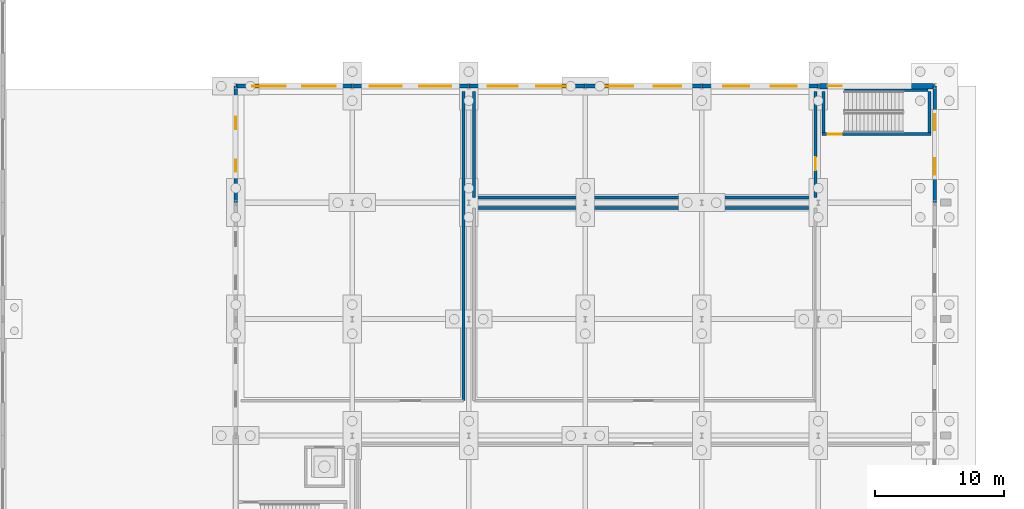
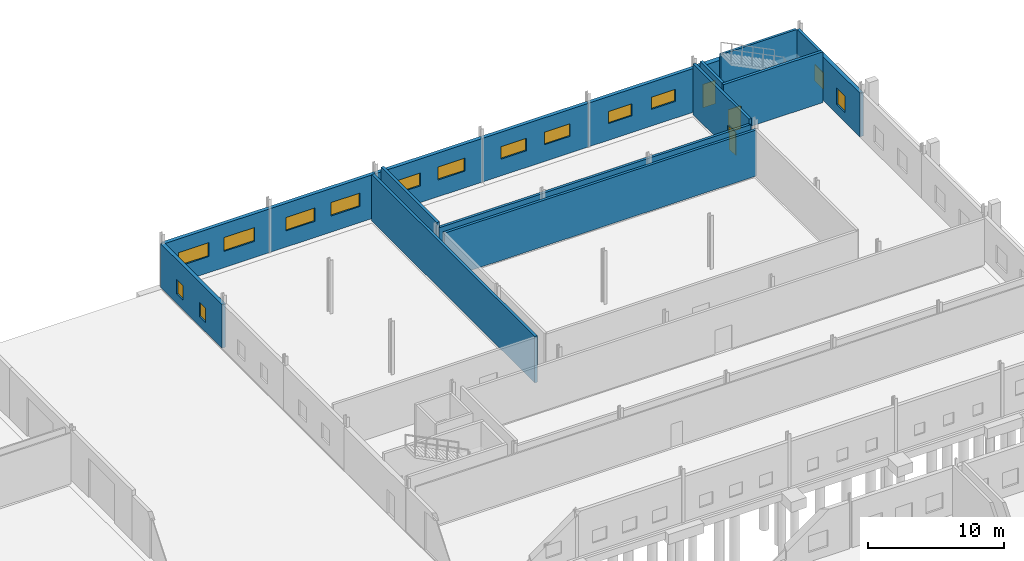
# One storey, part 85 of 112: 17 walls, 14 windows, 3 doors, 17 openings.
"""IFC4 building model written with IfcOpenShell, lengths in metres."""

from ifc_helpers import new_model, si_unit, direction, frame, frame_2d, origin, place, context, subcontext, project, spatial, rectangle, extrude, material, layer, layer_set, type_object, element, fill, save


model = new_model("IFC4")

# Units and contexts
model_context = context("Model", 3, precision=1e-05, world=origin(), true_north=direction((0.0, 1.0)))
body_context = subcontext(model_context, "Body", "Model", "MODEL_VIEW")
ifc_project = project(units=[si_unit("LENGTHUNIT", "METRE"), si_unit("AREAUNIT", "SQUARE_METRE"), si_unit("VOLUMEUNIT", "CUBIC_METRE"), si_unit("PLANEANGLEUNIT", "RADIAN"), si_unit("MASSUNIT", "GRAM", prefix="KILO")], contexts=[model_context])

# Site, building, storey
site_placement = place(None, origin())
site = spatial("IfcSite", under=ifc_project, at=site_placement, CompositionType="ELEMENT")
building_placement = place(site_placement, origin())
building = spatial("IfcBuilding", under=site, at=building_placement, Name="Tharagai Park Tramway Depot", CompositionType="ELEMENT")
storey_placement = place(building_placement, origin())
storey = spatial("IfcBuildingStorey", under=building, at=storey_placement, Name="L00", CompositionType="ELEMENT", Elevation=0.0)

# Wall, opening, door
ifc_material_1 = material(Name="Charnockite stone", Category="masonry")
ifc_layer_1 = layer(ifc_material_1, 0.419921875)
ifc_layer_set_1 = layer_set([ifc_layer_1], Name="Charnockite stone")
wall_type_1 = type_object("IfcWallType", Name="EW-07", PredefinedType="SOLIDWALL", material=ifc_layer_set_1)
wall_1_placement = place(storey_placement, frame((207.00390625, 135.0, 0.0), z_axis=(0.0, 0.0, 1.0), x_axis=(1.0, 0.0, 0.0)))
wall_1 = element("IfcWall", 1, at=wall_1_placement, inside=storey, type_object=wall_type_1, Name="L00 V3 Exterior Masonry Wall EW-07", PredefinedType="SOLIDWALL", context=body_context, shape_type="SweptSolid", body=[
    extrude(rectangle(XDim=8.9921875, YDim=0.419921875, at=frame_2d((4.49609375, 0.0))), origin(), (0.0, 0.0, 1.0), 3.912109375),
])
opening_1_placement = place(wall_1_placement, frame((0.74609375, 0.0, 0.0)))
opening_1 = element("IfcOpeningElement", 2, at=opening_1_placement, cuts=wall_1, Name="Opening ED-05", PredefinedType="OPENING", context=body_context, shape_type="SweptSolid", body=[
    extrude(rectangle(XDim=1.06005859375, YDim=2.10009765625, at=frame_2d((0.530029296875, 1.050048828125))), frame((0.0, 0.219970703125, 0.0), z_axis=(0.0, -1.0, 0.0), x_axis=(1.0, 0.0, 0.0)), (0.0, 0.0, 1.0), 0.43994140625),
])
ifc_material_2 = material(Name="Anodised aluminium", Category="aluminium")
door_type_1 = type_object("IfcDoorType", Name="ED-05", OperationType="NOTDEFINED", PredefinedType="DOOR", material=ifc_material_2)
door_1_placement = place(opening_1_placement, origin())
door_1 = element("IfcDoor", 3, at=door_1_placement, inside=storey, type_object=door_type_1, Name="Core C13 Final Exit Door", OperationType="SINGLE_SWING_LEFT", OverallHeight=2.10009765625, OverallWidth=1.06005859375, PredefinedType="DOOR", context=body_context, shape_type="SweptSolid", body=[
    extrude(rectangle(XDim=1.06005859375, YDim=2.10009765625, at=frame_2d((0.530029296875, 1.050048828125))), frame((0.0, 0.02490234375, 0.0), z_axis=(0.0, -1.0, 0.0), x_axis=(1.0, 0.0, 0.0)), (0.0, 0.0, 1.0), 0.050048828125),
])
fill(opening_1, door_1)

# Wall, openings, windows
ifc_material_3 = material(Name="Pressed clay brick", Category="masonry")
ifc_layer_2 = layer(ifc_material_3, 0.300048828125)
ifc_layer_set_2 = layer_set([ifc_layer_2], Name="Pressed clay brick")
wall_type_2 = type_object("IfcWallType", Name="EW-08", PredefinedType="SOLIDWALL", material=ifc_layer_set_2)
wall_2_placement = place(storey_placement, frame((162.00390625, 135.0, 0.0), z_axis=(0.0, 0.0, 1.0), x_axis=(1.0, 0.0, 0.0)))
wall_2 = element("IfcWall", 4, at=wall_2_placement, inside=storey, type_object=wall_type_2, Name="L00 V3 Exterior Masonry Wall EW-08", PredefinedType="SOLIDWALL", context=body_context, shape_type="SweptSolid", body=[
    extrude(rectangle(XDim=8.9921875, YDim=0.300048828125, at=frame_2d((4.49609375, 0.0))), origin(), (0.0, 0.0, 1.0), 3.912109375),
])
opening_2_placement = place(wall_2_placement, frame((1.263916015625, 0.0, 1.449951171875)))
opening_2 = element("IfcOpeningElement", 5, at=opening_2_placement, cuts=wall_2, Name="Opening WN-26", PredefinedType="OPENING", context=body_context, shape_type="SweptSolid", body=[
    extrude(rectangle(XDim=2.60009765625, YDim=1.239990234375, at=frame_2d((1.300048828125, 0.6201171875))), frame((0.0, 0.159912109375, 0.0), z_axis=(0.0, -1.0, 0.0), x_axis=(1.0, 0.0, 0.0)), (0.0, 0.0, 1.0), 0.320068359375),
])
opening_3_placement = place(wall_2_placement, frame((5.1279296875, 0.0, 1.449951171875)))
opening_3 = element("IfcOpeningElement", 6, at=opening_3_placement, cuts=wall_2, Name="Opening WN-26", PredefinedType="OPENING", context=body_context, shape_type="SweptSolid", body=[
    extrude(rectangle(XDim=2.60009765625, YDim=1.239990234375, at=frame_2d((1.300048828125, 0.6201171875))), frame((0.0, 0.159912109375, 0.0), z_axis=(0.0, -1.0, 0.0), x_axis=(1.0, 0.0, 0.0)), (0.0, 0.0, 1.0), 0.320068359375),
])
ifc_material_4 = material(Name="Laminated solar-control glass", Category="glass")
window_type_1 = type_object("IfcWindowType", Name="WN-26", PartitioningType="SINGLE_PANEL", PredefinedType="WINDOW", material=ifc_material_4)
window_1_placement = place(opening_2_placement, origin())
window_1 = element("IfcWindow", 7, at=window_1_placement, inside=storey, type_object=window_type_1, Name="L00 V3 Gothic Lancet Window WN-26", OverallHeight=1.239990234375, OverallWidth=2.60009765625, PartitioningType="SINGLE_PANEL", PredefinedType="WINDOW", context=body_context, shape_type="SweptSolid", body=[
    extrude(rectangle(XDim=2.60009765625, YDim=1.239990234375, at=frame_2d((1.300048828125, 0.6201171875))), frame((0.0, 0.030029296875, 0.0), z_axis=(0.0, -1.0, 0.0), x_axis=(1.0, 0.0, 0.0)), (0.0, 0.0, 1.0), 0.06005859375),
])
fill(opening_2, window_1)
window_2_placement = place(opening_3_placement, origin())
window_2 = element("IfcWindow", 8, at=window_2_placement, inside=storey, type_object=window_type_1, Name="L00 V3 Gothic Lancet Window WN-26", OverallHeight=1.239990234375, OverallWidth=2.60009765625, PartitioningType="SINGLE_PANEL", PredefinedType="WINDOW", context=body_context, shape_type="SweptSolid", body=[
    extrude(rectangle(XDim=2.60009765625, YDim=1.239990234375, at=frame_2d((1.300048828125, 0.6201171875))), frame((0.0, 0.030029296875, 0.0), z_axis=(0.0, -1.0, 0.0), x_axis=(1.0, 0.0, 0.0)), (0.0, 0.0, 1.0), 0.06005859375),
])
fill(opening_3, window_2)

wall_3_placement = place(storey_placement, frame((171.00390625, 135.0, 0.0), z_axis=(0.0, 0.0, 1.0), x_axis=(1.0, 0.0, 0.0)))
wall_3 = element("IfcWall", 9, at=wall_3_placement, inside=storey, type_object=wall_type_2, Name="L00 V3 Exterior Masonry Wall EW-08", PredefinedType="SOLIDWALL", context=body_context, shape_type="SweptSolid", body=[
    extrude(rectangle(XDim=8.9921875, YDim=0.300048828125, at=frame_2d((4.49609375, 0.0))), origin(), (0.0, 0.0, 1.0), 3.912109375),
])
opening_4_placement = place(wall_3_placement, frame((1.364013671875, 0.0, 1.449951171875)))
opening_4 = element("IfcOpeningElement", 10, at=opening_4_placement, cuts=wall_3, Name="Opening WN-02", PredefinedType="OPENING", context=body_context, shape_type="SweptSolid", body=[
    extrude(rectangle(XDim=2.449951171875, YDim=1.199951171875, at=frame_2d((1.22509765625, 0.60009765625))), frame((0.0, 0.159912109375, 0.0), z_axis=(0.0, -1.0, 0.0), x_axis=(1.0, 0.0, 0.0)), (0.0, 0.0, 1.0), 0.320068359375),
])
opening_5_placement = place(wall_3_placement, frame((5.177978515625, 0.0, 1.449951171875)))
opening_5 = element("IfcOpeningElement", 11, at=opening_5_placement, cuts=wall_3, Name="Opening WN-02", PredefinedType="OPENING", context=body_context, shape_type="SweptSolid", body=[
    extrude(rectangle(XDim=2.449951171875, YDim=1.199951171875, at=frame_2d((1.22509765625, 0.60009765625))), frame((0.0, 0.159912109375, 0.0), z_axis=(0.0, -1.0, 0.0), x_axis=(1.0, 0.0, 0.0)), (0.0, 0.0, 1.0), 0.320068359375),
])
window_type_2 = type_object("IfcWindowType", Name="WN-02", PartitioningType="SINGLE_PANEL", PredefinedType="WINDOW", material=ifc_material_4)
window_3_placement = place(opening_4_placement, origin())
window_3 = element("IfcWindow", 12, at=window_3_placement, inside=storey, type_object=window_type_2, Name="L00 V3 Gothic Lancet Window WN-02", OverallHeight=1.199951171875, OverallWidth=2.449951171875, PartitioningType="SINGLE_PANEL", PredefinedType="WINDOW", context=body_context, shape_type="SweptSolid", body=[
    extrude(rectangle(XDim=2.449951171875, YDim=1.199951171875, at=frame_2d((1.22509765625, 0.60009765625))), frame((0.0, 0.030029296875, 0.0), z_axis=(0.0, -1.0, 0.0), x_axis=(1.0, 0.0, 0.0)), (0.0, 0.0, 1.0), 0.06005859375),
])
fill(opening_4, window_3)
window_4_placement = place(opening_5_placement, origin())
window_4 = element("IfcWindow", 13, at=window_4_placement, inside=storey, type_object=window_type_2, Name="L00 V3 Gothic Lancet Window WN-02", OverallHeight=1.199951171875, OverallWidth=2.449951171875, PartitioningType="SINGLE_PANEL", PredefinedType="WINDOW", context=body_context, shape_type="SweptSolid", body=[
    extrude(rectangle(XDim=2.449951171875, YDim=1.199951171875, at=frame_2d((1.22509765625, 0.60009765625))), frame((0.0, 0.030029296875, 0.0), z_axis=(0.0, -1.0, 0.0), x_axis=(1.0, 0.0, 0.0)), (0.0, 0.0, 1.0), 0.06005859375),
])
fill(opening_5, window_4)

wall_4_placement = place(storey_placement, frame((180.00390625, 135.0, 0.0), z_axis=(0.0, 0.0, 1.0), x_axis=(1.0, 0.0, 0.0)))
wall_4 = element("IfcWall", 14, at=wall_4_placement, inside=storey, type_object=wall_type_2, Name="L00 V3 Exterior Masonry Wall EW-08", PredefinedType="SOLIDWALL", context=body_context, shape_type="SweptSolid", body=[
    extrude(rectangle(XDim=8.9921875, YDim=0.300048828125, at=frame_2d((4.49609375, 0.0))), origin(), (0.0, 0.0, 1.0), 3.912109375),
])
opening_6_placement = place(wall_4_placement, frame((1.464111328125, 0.0, 1.5)))
opening_6 = element("IfcOpeningElement", 15, at=opening_6_placement, cuts=wall_4, Name="Opening WN-50", PredefinedType="OPENING", context=body_context, shape_type="SweptSolid", body=[
    extrude(rectangle(XDim=2.300048828125, YDim=1.159912109375, at=frame_2d((1.14990234375, 0.580078125))), frame((0.0, 0.159912109375, 0.0), z_axis=(0.0, -1.0, 0.0), x_axis=(1.0, 0.0, 0.0)), (0.0, 0.0, 1.0), 0.320068359375),
])
opening_7_placement = place(wall_4_placement, frame((5.22802734375, 0.0, 1.5)))
opening_7 = element("IfcOpeningElement", 16, at=opening_7_placement, cuts=wall_4, Name="Opening WN-50", PredefinedType="OPENING", context=body_context, shape_type="SweptSolid", body=[
    extrude(rectangle(XDim=2.300048828125, YDim=1.159912109375, at=frame_2d((1.14990234375, 0.580078125))), frame((0.0, 0.159912109375, 0.0), z_axis=(0.0, -1.0, 0.0), x_axis=(1.0, 0.0, 0.0)), (0.0, 0.0, 1.0), 0.320068359375),
])
window_type_3 = type_object("IfcWindowType", Name="WN-50", PartitioningType="SINGLE_PANEL", PredefinedType="WINDOW", material=ifc_material_4)
window_5_placement = place(opening_6_placement, origin())
window_5 = element("IfcWindow", 17, at=window_5_placement, inside=storey, type_object=window_type_3, Name="L00 V3 Gothic Lancet Window WN-50", OverallHeight=1.159912109375, OverallWidth=2.300048828125, PartitioningType="SINGLE_PANEL", PredefinedType="WINDOW", context=body_context, shape_type="SweptSolid", body=[
    extrude(rectangle(XDim=2.300048828125, YDim=1.159912109375, at=frame_2d((1.14990234375, 0.580078125))), frame((0.0, 0.030029296875, 0.0), z_axis=(0.0, -1.0, 0.0), x_axis=(1.0, 0.0, 0.0)), (0.0, 0.0, 1.0), 0.06005859375),
])
fill(opening_6, window_5)
window_6_placement = place(opening_7_placement, origin())
window_6 = element("IfcWindow", 18, at=window_6_placement, inside=storey, type_object=window_type_3, Name="L00 V3 Gothic Lancet Window WN-50", OverallHeight=1.159912109375, OverallWidth=2.300048828125, PartitioningType="SINGLE_PANEL", PredefinedType="WINDOW", context=body_context, shape_type="SweptSolid", body=[
    extrude(rectangle(XDim=2.300048828125, YDim=1.159912109375, at=frame_2d((1.14990234375, 0.580078125))), frame((0.0, 0.030029296875, 0.0), z_axis=(0.0, -1.0, 0.0), x_axis=(1.0, 0.0, 0.0)), (0.0, 0.0, 1.0), 0.06005859375),
])
fill(opening_7, window_6)

wall_5_placement = place(storey_placement, frame((189.00390625, 135.0, 0.0), z_axis=(0.0, 0.0, 1.0), x_axis=(1.0, 0.0, 0.0)))
wall_5 = element("IfcWall", 19, at=wall_5_placement, inside=storey, type_object=wall_type_2, Name="L00 V3 Exterior Masonry Wall EW-08", PredefinedType="SOLIDWALL", context=body_context, shape_type="SweptSolid", body=[
    extrude(rectangle(XDim=8.9921875, YDim=0.300048828125, at=frame_2d((4.49609375, 0.0))), origin(), (0.0, 0.0, 1.0), 3.912109375),
])
opening_8_placement = place(wall_5_placement, frame((1.56396484375, 0.0, 1.5)))
opening_8 = element("IfcOpeningElement", 20, at=opening_8_placement, cuts=wall_5, Name="Opening WN-13", PredefinedType="OPENING", context=body_context, shape_type="SweptSolid", body=[
    extrude(rectangle(XDim=2.14990234375, YDim=1.1201171875, at=frame_2d((1.074951171875, 0.56005859375))), frame((0.0, 0.159912109375, 0.0), z_axis=(0.0, -1.0, 0.0), x_axis=(1.0, 0.0, 0.0)), (0.0, 0.0, 1.0), 0.320068359375),
])
opening_9_placement = place(wall_5_placement, frame((5.278076171875, 0.0, 1.5)))
opening_9 = element("IfcOpeningElement", 21, at=opening_9_placement, cuts=wall_5, Name="Opening WN-13", PredefinedType="OPENING", context=body_context, shape_type="SweptSolid", body=[
    extrude(rectangle(XDim=2.14990234375, YDim=1.1201171875, at=frame_2d((1.074951171875, 0.56005859375))), frame((0.0, 0.159912109375, 0.0), z_axis=(0.0, -1.0, 0.0), x_axis=(1.0, 0.0, 0.0)), (0.0, 0.0, 1.0), 0.320068359375),
])
window_type_4 = type_object("IfcWindowType", Name="WN-13", PartitioningType="SINGLE_PANEL", PredefinedType="WINDOW", material=ifc_material_4)
window_7_placement = place(opening_8_placement, origin())
window_7 = element("IfcWindow", 22, at=window_7_placement, inside=storey, type_object=window_type_4, Name="L00 V3 Gothic Lancet Window WN-13", OverallHeight=1.1201171875, OverallWidth=2.14990234375, PartitioningType="SINGLE_PANEL", PredefinedType="WINDOW", context=body_context, shape_type="SweptSolid", body=[
    extrude(rectangle(XDim=2.14990234375, YDim=1.1201171875, at=frame_2d((1.074951171875, 0.56005859375))), frame((0.0, 0.030029296875, 0.0), z_axis=(0.0, -1.0, 0.0), x_axis=(1.0, 0.0, 0.0)), (0.0, 0.0, 1.0), 0.06005859375),
])
fill(opening_8, window_7)
window_8_placement = place(opening_9_placement, origin())
window_8 = element("IfcWindow", 23, at=window_8_placement, inside=storey, type_object=window_type_4, Name="L00 V3 Gothic Lancet Window WN-13", OverallHeight=1.1201171875, OverallWidth=2.14990234375, PartitioningType="SINGLE_PANEL", PredefinedType="WINDOW", context=body_context, shape_type="SweptSolid", body=[
    extrude(rectangle(XDim=2.14990234375, YDim=1.1201171875, at=frame_2d((1.074951171875, 0.56005859375))), frame((0.0, 0.030029296875, 0.0), z_axis=(0.0, -1.0, 0.0), x_axis=(1.0, 0.0, 0.0)), (0.0, 0.0, 1.0), 0.06005859375),
])
fill(opening_9, window_8)

wall_6_placement = place(storey_placement, frame((198.00390625, 135.0, 0.0), z_axis=(0.0, 0.0, 1.0), x_axis=(1.0, 0.0, 0.0)))
wall_6 = element("IfcWall", 24, at=wall_6_placement, inside=storey, type_object=wall_type_2, Name="L00 V3 Exterior Masonry Wall EW-08", PredefinedType="SOLIDWALL", context=body_context, shape_type="SweptSolid", body=[
    extrude(rectangle(XDim=8.9921875, YDim=0.300048828125, at=frame_2d((4.49609375, 0.0))), origin(), (0.0, 0.0, 1.0), 3.912109375),
])
opening_10_placement = place(wall_6_placement, frame((1.6640625, 0.0, 1.5)))
opening_10 = element("IfcOpeningElement", 25, at=opening_10_placement, cuts=wall_6, Name="Opening WN-49", PredefinedType="OPENING", context=body_context, shape_type="SweptSolid", body=[
    extrude(rectangle(XDim=2.0, YDim=1.080078125, at=frame_2d((1.0, 0.5400390625))), frame((0.0, 0.159912109375, 0.0), z_axis=(0.0, -1.0, 0.0), x_axis=(1.0, 0.0, 0.0)), (0.0, 0.0, 1.0), 0.320068359375),
])
opening_11_placement = place(wall_6_placement, frame((5.327880859375, 0.0, 1.5)))
opening_11 = element("IfcOpeningElement", 26, at=opening_11_placement, cuts=wall_6, Name="Opening WN-49", PredefinedType="OPENING", context=body_context, shape_type="SweptSolid", body=[
    extrude(rectangle(XDim=2.0, YDim=1.080078125, at=frame_2d((1.0, 0.5400390625))), frame((0.0, 0.159912109375, 0.0), z_axis=(0.0, -1.0, 0.0), x_axis=(1.0, 0.0, 0.0)), (0.0, 0.0, 1.0), 0.320068359375),
])
window_type_5 = type_object("IfcWindowType", Name="WN-49", PartitioningType="SINGLE_PANEL", PredefinedType="WINDOW", material=ifc_material_4)
window_9_placement = place(opening_10_placement, origin())
window_9 = element("IfcWindow", 27, at=window_9_placement, inside=storey, type_object=window_type_5, Name="L00 V3 Gothic Lancet Window WN-49", OverallHeight=1.080078125, OverallWidth=2.0, PartitioningType="SINGLE_PANEL", PredefinedType="WINDOW", context=body_context, shape_type="SweptSolid", body=[
    extrude(rectangle(XDim=2.0, YDim=1.080078125, at=frame_2d((1.0, 0.5400390625))), frame((0.0, 0.030029296875, 0.0), z_axis=(0.0, -1.0, 0.0), x_axis=(1.0, 0.0, 0.0)), (0.0, 0.0, 1.0), 0.06005859375),
])
fill(opening_10, window_9)
window_10_placement = place(opening_11_placement, origin())
window_10 = element("IfcWindow", 28, at=window_10_placement, inside=storey, type_object=window_type_5, Name="L00 V3 Gothic Lancet Window WN-49", OverallHeight=1.080078125, OverallWidth=2.0, PartitioningType="SINGLE_PANEL", PredefinedType="WINDOW", context=body_context, shape_type="SweptSolid", body=[
    extrude(rectangle(XDim=2.0, YDim=1.080078125, at=frame_2d((1.0, 0.5400390625))), frame((0.0, 0.030029296875, 0.0), z_axis=(0.0, -1.0, 0.0), x_axis=(1.0, 0.0, 0.0)), (0.0, 0.0, 1.0), 0.06005859375),
])
fill(opening_11, window_10)

wall_7_placement = place(storey_placement, frame((162.0, 126.00390625, 0.0), z_axis=(0.0, 0.0, 1.0), x_axis=(0.0, 1.0, 0.0)))
wall_7 = element("IfcWall", 29, at=wall_7_placement, inside=storey, type_object=wall_type_2, Name="L00 V3 Exterior Masonry Wall EW-08", PredefinedType="SOLIDWALL", context=body_context, shape_type="SweptSolid", body=[
    extrude(rectangle(XDim=8.9921875, YDim=0.300048828125, at=frame_2d((4.49609375, 0.0))), origin(), (0.0, 0.0, 1.0), 3.912109375),
])
opening_12_placement = place(wall_7_placement, frame((2.37109375, 0.0, 0.85009765625)))
opening_12 = element("IfcOpeningElement", 30, at=opening_12_placement, cuts=wall_7, Name="Opening WN-45", PredefinedType="OPENING", context=body_context, shape_type="SweptSolid", body=[
    extrude(rectangle(XDim=0.93994140625, YDim=1.280029296875, at=frame_2d((0.469970703125, 0.64013671875))), frame((0.0, 0.159912109375, 0.0), z_axis=(0.0, -1.0, 0.0), x_axis=(1.0, 0.0, 0.0)), (0.0, 0.0, 1.0), 0.320068359375),
])
opening_13_placement = place(wall_7_placement, frame((5.680908203125, 0.0, 0.85009765625)))
opening_13 = element("IfcOpeningElement", 31, at=opening_13_placement, cuts=wall_7, Name="Opening WN-45", PredefinedType="OPENING", context=body_context, shape_type="SweptSolid", body=[
    extrude(rectangle(XDim=0.93994140625, YDim=1.280029296875, at=frame_2d((0.469970703125, 0.64013671875))), frame((0.0, 0.159912109375, 0.0), z_axis=(0.0, -1.0, 0.0), x_axis=(1.0, 0.0, 0.0)), (0.0, 0.0, 1.0), 0.320068359375),
])
window_type_6 = type_object("IfcWindowType", Name="WN-45", PartitioningType="SINGLE_PANEL", PredefinedType="WINDOW", material=ifc_material_4)
window_11_placement = place(opening_12_placement, origin())
window_11 = element("IfcWindow", 32, at=window_11_placement, inside=storey, type_object=window_type_6, Name="L00 V3 Side Lancet Window WN-45", OverallHeight=1.280029296875, OverallWidth=0.93994140625, PartitioningType="SINGLE_PANEL", PredefinedType="WINDOW", context=body_context, shape_type="SweptSolid", body=[
    extrude(rectangle(XDim=0.93994140625, YDim=1.280029296875, at=frame_2d((0.469970703125, 0.64013671875))), frame((0.0, 0.030029296875, 0.0), z_axis=(0.0, -1.0, 0.0), x_axis=(1.0, 0.0, 0.0)), (0.0, 0.0, 1.0), 0.06005859375),
])
fill(opening_12, window_11)
window_12_placement = place(opening_13_placement, origin())
window_12 = element("IfcWindow", 33, at=window_12_placement, inside=storey, type_object=window_type_6, Name="L00 V3 Side Lancet Window WN-45", OverallHeight=1.280029296875, OverallWidth=0.93994140625, PartitioningType="SINGLE_PANEL", PredefinedType="WINDOW", context=body_context, shape_type="SweptSolid", body=[
    extrude(rectangle(XDim=0.93994140625, YDim=1.280029296875, at=frame_2d((0.469970703125, 0.64013671875))), frame((0.0, 0.030029296875, 0.0), z_axis=(0.0, -1.0, 0.0), x_axis=(1.0, 0.0, 0.0)), (0.0, 0.0, 1.0), 0.06005859375),
])
fill(opening_13, window_12)

wall_8_placement = place(storey_placement, frame((216.0, 126.00390625, 0.0), z_axis=(0.0, 0.0, 1.0), x_axis=(0.0, 1.0, 0.0)))
wall_8 = element("IfcWall", 34, at=wall_8_placement, inside=storey, type_object=wall_type_2, Name="L00 V3 Exterior Masonry Wall EW-08", PredefinedType="SOLIDWALL", context=body_context, shape_type="SweptSolid", body=[
    extrude(rectangle(XDim=8.9921875, YDim=0.300048828125, at=frame_2d((4.49609375, 0.0))), origin(), (0.0, 0.0, 1.0), 3.912109375),
])
opening_14_placement = place(wall_8_placement, frame((2.156982421875, 0.0, 0.85009765625)))
opening_14 = element("IfcOpeningElement", 35, at=opening_14_placement, cuts=wall_8, Name="Opening WN-09", PredefinedType="OPENING", context=body_context, shape_type="SweptSolid", body=[
    extrude(rectangle(XDim=1.260009765625, YDim=1.4599609375, at=frame_2d((0.6298828125, 0.72998046875))), frame((0.0, 0.159912109375, 0.0), z_axis=(0.0, -1.0, 0.0), x_axis=(1.0, 0.0, 0.0)), (0.0, 0.0, 1.0), 0.320068359375),
])
opening_15_placement = place(wall_8_placement, frame((5.574951171875, 0.0, 0.85009765625)))
opening_15 = element("IfcOpeningElement", 36, at=opening_15_placement, cuts=wall_8, Name="Opening WN-09", PredefinedType="OPENING", context=body_context, shape_type="SweptSolid", body=[
    extrude(rectangle(XDim=1.260009765625, YDim=1.4599609375, at=frame_2d((0.6298828125, 0.72998046875))), frame((0.0, 0.159912109375, 0.0), z_axis=(0.0, -1.0, 0.0), x_axis=(1.0, 0.0, 0.0)), (0.0, 0.0, 1.0), 0.320068359375),
])
window_type_7 = type_object("IfcWindowType", Name="WN-09", PartitioningType="SINGLE_PANEL", PredefinedType="WINDOW", material=ifc_material_4)
window_13_placement = place(opening_14_placement, origin())
window_13 = element("IfcWindow", 37, at=window_13_placement, inside=storey, type_object=window_type_7, Name="L00 V3 Side Lancet Window WN-09", OverallHeight=1.4599609375, OverallWidth=1.260009765625, PartitioningType="SINGLE_PANEL", PredefinedType="WINDOW", context=body_context, shape_type="SweptSolid", body=[
    extrude(rectangle(XDim=1.260009765625, YDim=1.4599609375, at=frame_2d((0.6298828125, 0.72998046875))), frame((0.0, 0.030029296875, 0.0), z_axis=(0.0, -1.0, 0.0), x_axis=(1.0, 0.0, 0.0)), (0.0, 0.0, 1.0), 0.06005859375),
])
fill(opening_14, window_13)
window_14_placement = place(opening_15_placement, origin())
window_14 = element("IfcWindow", 38, at=window_14_placement, inside=storey, type_object=window_type_7, Name="L00 V3 Side Lancet Window WN-09", OverallHeight=1.4599609375, OverallWidth=1.260009765625, PartitioningType="SINGLE_PANEL", PredefinedType="WINDOW", context=body_context, shape_type="SweptSolid", body=[
    extrude(rectangle(XDim=1.260009765625, YDim=1.4599609375, at=frame_2d((0.6298828125, 0.72998046875))), frame((0.0, 0.030029296875, 0.0), z_axis=(0.0, -1.0, 0.0), x_axis=(1.0, 0.0, 0.0)), (0.0, 0.0, 1.0), 0.06005859375),
])
fill(opening_15, window_14)

# Walls
ifc_layer_3 = layer(ifc_material_3, 0.219970703125)
ifc_layer_set_3 = layer_set([ifc_layer_3], Name="Pressed clay brick")
wall_type_3 = type_object("IfcWallType", Name="IW-05", PredefinedType="SOLIDWALL", material=ifc_layer_set_3)
wall_9_placement = place(storey_placement, frame((179.60009765625, 110.699951171875, 0.0), z_axis=(0.0, 0.0, 1.0), x_axis=(0.0, 1.0, 0.0)))
element("IfcWall", 39, at=wall_9_placement, inside=storey, type_object=wall_type_3, Name="Chassis Wash Dryer and Blower Hall Partition East", PredefinedType="SOLIDWALL", context=body_context, shape_type="SweptSolid", body=[
    extrude(rectangle(XDim=23.900146484375, YDim=0.219970703125, at=frame_2d((11.9501953125, 0.0))), origin(), (0.0, 0.0, 1.0), 4.1650390625),
])
for number, where, z_axis, x_axis, name in (
    (40, (180.39990234375, 125.60009765625, 0.0), (0.0, 0.0, 1.0), (1.0, 0.0, 0.0), "Effluent Water-Reclamation Plant Partition North"),
    (41, (180.39990234375, 126.39990234375, 0.0), (0.0, 0.0, 1.0), (1.0, 0.0, 0.0), "Detergent Dosing and Sludge Dewatering Store Partition South"),
):
    element("IfcWall", number, at=place(storey_placement, frame(where, z_axis=z_axis, x_axis=x_axis)), inside=storey, type_object=wall_type_3, Name=name, PredefinedType="SOLIDWALL", context=body_context, shape_type="SweptSolid", body=[
        extrude(rectangle(XDim=26.400146484375, YDim=0.219970703125, at=frame_2d((13.2001953125, 0.0))), origin(), (0.0, 0.0, 1.0), 4.114990234375),
    ])
wall_10_placement = place(storey_placement, frame((180.39990234375, 126.39990234375, 0.0), z_axis=(0.0, 0.0, 1.0), x_axis=(0.0, 1.0, 0.0)))
element("IfcWall", 42, at=wall_10_placement, inside=storey, type_object=wall_type_3, Name="Detergent Dosing and Sludge Dewatering Store Partition West", PredefinedType="SOLIDWALL", context=body_context, shape_type="SweptSolid", body=[
    extrude(rectangle(XDim=8.2001953125, YDim=0.219970703125, at=frame_2d((4.10009765625, 0.0))), origin(), (0.0, 0.0, 1.0), 4.550048828125),
])

# Wall, opening, door
wall_11_placement = place(storey_placement, frame((206.800048828125, 126.39990234375, 0.0), z_axis=(0.0, 0.0, 1.0), x_axis=(0.0, 1.0, 0.0)))
wall_11 = element("IfcWall", 43, at=wall_11_placement, inside=storey, type_object=wall_type_3, Name="Detergent Dosing and Sludge Dewatering Store Partition East", PredefinedType="SOLIDWALL", context=body_context, shape_type="SweptSolid", body=[
    extrude(rectangle(XDim=8.2001953125, YDim=0.219970703125, at=frame_2d((4.10009765625, 0.0))), origin(), (0.0, 0.0, 1.0), 4.550048828125),
])
opening_16_placement = place(wall_11_placement, frame((2.090087890625, 0.0, 0.0)))
opening_16 = element("IfcOpeningElement", 44, at=opening_16_placement, cuts=wall_11, Name="Opening ID-12", PredefinedType="OPENING", context=body_context, shape_type="SweptSolid", body=[
    extrude(rectangle(XDim=1.02001953125, YDim=2.10009765625, at=frame_2d((0.510009765625, 1.050048828125))), frame((0.0, 0.119873046875, 0.0), z_axis=(0.0, -1.0, 0.0), x_axis=(1.0, 0.0, 0.0)), (0.0, 0.0, 1.0), 0.239990234375),
])
ifc_material_5 = material(Name="Pressed timber", Category="wood")
door_type_2 = type_object("IfcDoorType", Name="ID-12", OperationType="NOTDEFINED", PredefinedType="DOOR", material=ifc_material_5)
door_2_placement = place(opening_16_placement, frame((1.02001953125, 0.0, 0.0), z_axis=(0.0, 0.0, 1.0), x_axis=(-1.0, 0.0, 0.0)))
door_2 = element("IfcDoor", 45, at=door_2_placement, inside=storey, type_object=door_type_2, Name="Detergent Dosing and Sludge Dewatering Store Door", OperationType="SINGLE_SWING_RIGHT", OverallHeight=2.10009765625, OverallWidth=1.02001953125, PredefinedType="DOOR", context=body_context, shape_type="SweptSolid", body=[
    extrude(rectangle(XDim=1.02001953125, YDim=2.10009765625, at=frame_2d((0.510009765625, 1.050048828125))), frame((0.0, 0.02490234375, 0.0), z_axis=(0.0, -1.0, 0.0), x_axis=(1.0, 0.0, 0.0)), (0.0, 0.0, 1.0), 0.050048828125),
])
fill(opening_16, door_2)

ifc_material_6 = material(Name="Concrete M40", Category="concrete")
ifc_layer_4 = layer(ifc_material_6, 0.239990234375)
ifc_layer_set_4 = layer_set([ifc_layer_4], Name="Concrete M40")
wall_type_4 = type_object("IfcWallType", Name="SW-01", PredefinedType="SHEAR", material=ifc_layer_set_4)
wall_12_placement = place(storey_placement, frame((207.280029296875, 131.2900390625, 0.0), z_axis=(0.0, 0.0, 1.0), x_axis=(1.0, 0.0, 0.0)))
wall_12 = element("IfcWall", 46, at=wall_12_placement, inside=storey, type_object=wall_type_4, Name="Core C13 L00 Shear Wall South", PredefinedType="SHEAR", context=body_context, shape_type="SweptSolid", body=[
    extrude(rectangle(XDim=8.43994140625, YDim=0.239990234375, at=frame_2d((4.219970703125, 0.0))), origin(), (0.0, 0.0, 1.0), 4.550048828125),
])
opening_17_placement = place(wall_12_placement, frame((0.4599609375, 0.0, 0.0)))
opening_17 = element("IfcOpeningElement", 47, at=opening_17_placement, cuts=wall_12, Name="Opening ID-05", PredefinedType="OPENING", context=body_context, shape_type="SweptSolid", body=[
    extrude(rectangle(XDim=1.080078125, YDim=2.080078125, at=frame_2d((0.5400390625, 1.0400390625))), frame((0.0, 0.1298828125, 0.0), z_axis=(0.0, -1.0, 0.0), x_axis=(1.0, 0.0, 0.0)), (0.0, 0.0, 1.0), 0.260009765625),
])
ifc_material_7 = material(Name="Galvanised steel", Category="steel")
door_type_3 = type_object("IfcDoorType", Name="ID-05", OperationType="NOTDEFINED", PredefinedType="DOOR", material=ifc_material_7)
door_3_placement = place(opening_17_placement, frame((1.080078125, 0.0, 0.0), z_axis=(0.0, 0.0, 1.0), x_axis=(-1.0, 0.0, 0.0)))
door_3 = element("IfcDoor", 48, at=door_3_placement, inside=storey, type_object=door_type_3, Name="Stair ST-13 L00 Fire Door", OperationType="SINGLE_SWING_LEFT", OverallHeight=2.080078125, OverallWidth=1.080078125, PredefinedType="DOOR", context=body_context, shape_type="SweptSolid", body=[
    extrude(rectangle(XDim=1.080078125, YDim=2.080078125, at=frame_2d((0.5400390625, 1.0400390625))), frame((0.0, 0.02490234375, 0.0), z_axis=(0.0, -1.0, 0.0), x_axis=(1.0, 0.0, 0.0)), (0.0, 0.0, 1.0), 0.050048828125),
])
fill(opening_17, door_3)

# Walls
for number, where, z_axis, x_axis, name in (
    (49, (207.39990234375, 131.409912109375, 0.0), (0.0, 0.0, 1.0), (0.0, 1.0, 0.0), "Core C13 L00 Shear Wall West"),
    (50, (215.60009765625, 131.409912109375, 0.0), (0.0, 0.0, 1.0), (0.0, 1.0, 0.0), "Core C13 L00 Shear Wall East"),
):
    element("IfcWall", number, at=place(storey_placement, frame(where, z_axis=z_axis, x_axis=x_axis)), inside=storey, type_object=wall_type_4, Name=name, PredefinedType="SHEAR", context=body_context, shape_type="SweptSolid", body=[
        extrude(rectangle(XDim=3.190185546875, YDim=0.239990234375, at=frame_2d((1.59521484375, 0.0))), origin(), (0.0, 0.0, 1.0), 4.550048828125),
    ])
ifc_layer_5 = layer(ifc_material_6, 0.199951171875)
ifc_layer_set_5 = layer_set([ifc_layer_5], Name="Concrete M40")
wall_type_5 = type_object("IfcWallType", Name="SW-02", PredefinedType="SHEAR", material=ifc_layer_set_5)
wall_13_placement = place(storey_placement, frame((209.0400390625, 134.68505859375, 0.0), z_axis=(0.0, 0.0, 1.0), x_axis=(1.0, 0.0, 0.0)))
element("IfcWall", 51, at=wall_13_placement, inside=storey, type_object=wall_type_5, Name="Core C13 L00 Shear Bearing Liner North", PredefinedType="SHEAR", context=body_context, shape_type="SweptSolid", body=[
    extrude(rectangle(XDim=6.43994140625, YDim=0.199951171875, at=frame_2d((3.219970703125, 0.0))), origin(), (0.0, 0.0, 1.0), 4.550048828125),
])

save(model, "model.ifc")
